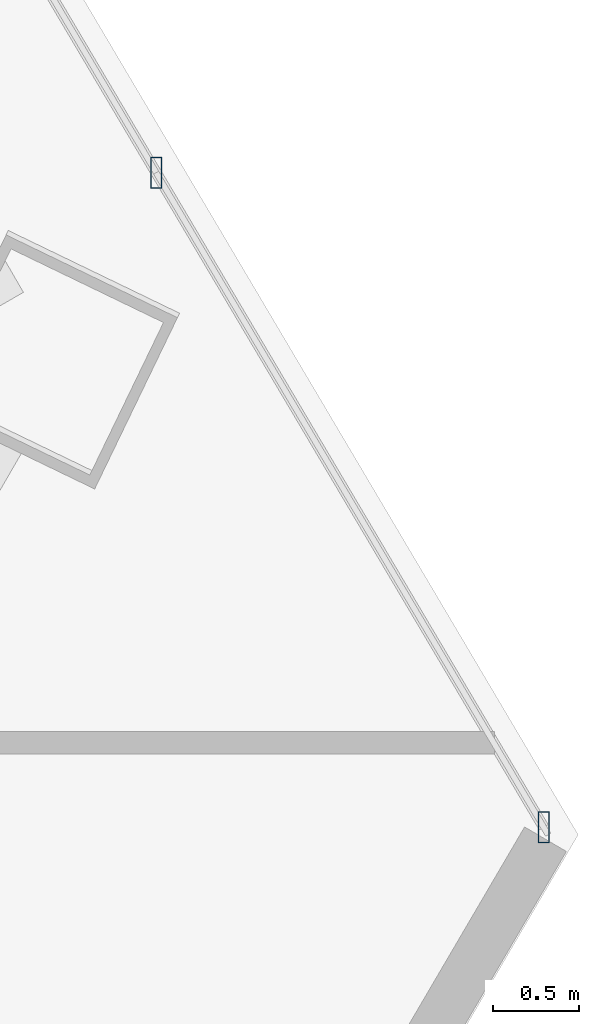
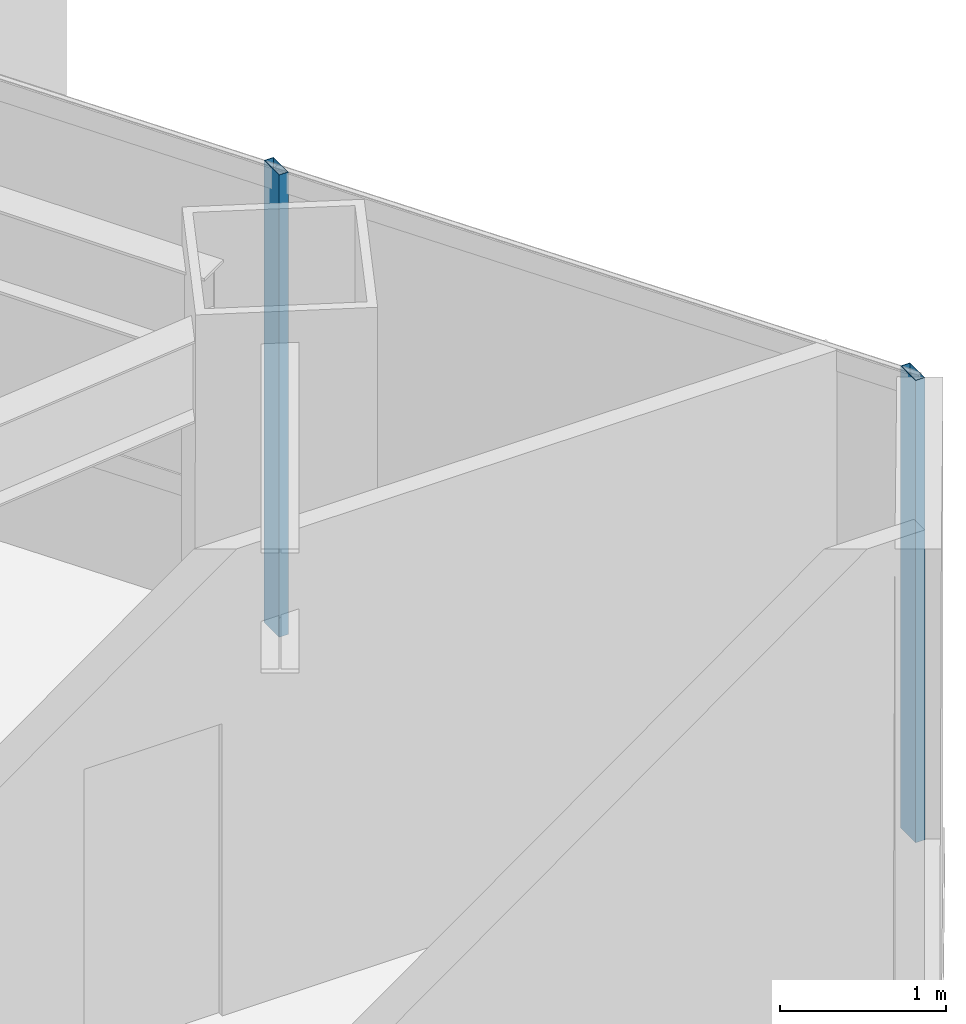
# One storey, part 19 of 37: 2 members, 1 element without a shape of its own.
"""IFC4 building model written with IfcOpenShell, lengths in metres."""

from ifc_helpers import new_model, si_unit, direction, frame, origin, origin_2d, place, context, subcontext, project, spatial, hollow_rectangle, extrude, source, transform, mapped, material, material_profile, profile_set, type_object, type_shapes, element, aggregate, save


model = new_model("IFC4")

# Units and contexts
model_context = context("Model", 3, precision=1e-05, world=origin(), true_north=direction((0.0, 1.0)))
body_context = subcontext(model_context, "Body", "Model", "MODEL_VIEW")
ifc_project = project(units=[si_unit("LENGTHUNIT", "METRE"), si_unit("AREAUNIT", "SQUARE_METRE"), si_unit("VOLUMEUNIT", "CUBIC_METRE"), si_unit("PLANEANGLEUNIT", "RADIAN"), si_unit("MASSUNIT", "GRAM", prefix="KILO")], contexts=[model_context])

# Site, building, storey
site_placement = place(None, origin())
site = spatial("IfcSite", under=ifc_project, at=site_placement, CompositionType="ELEMENT")
building_placement = place(site_placement, origin())
building = spatial("IfcBuilding", under=site, at=building_placement, Name="Caelisora Broadcast Tower", CompositionType="ELEMENT")
storey_placement = place(building_placement, frame((0.0, 0.0, 101.75)))
storey = spatial("IfcBuildingStorey", under=building, at=storey_placement, Name="L26", CompositionType="ELEMENT", Elevation=101.75)

# Curtain wall, members
ifc_material_1 = material(Name="Unitised Aluminium and Low-E Glass Curtain Wall", Category="glass")
curtain_wall_type = type_object("IfcCurtainWallType", Name="CW-Z2", PredefinedType="NOTDEFINED", material=ifc_material_1)
curtain_wall_placement = place(storey_placement, origin())
curtain_wall = element("IfcCurtainWall", 1, at=curtain_wall_placement, inside=storey, type_object=curtain_wall_type, Name="L26 curtain wall CW-Z2", PredefinedType="NOTDEFINED")
ifc_material_2 = material(Name="Aluminium 6063-T6 Anodised Terracotta Bronze", Category="aluminium")
ifc_material_profile = material_profile(ifc_material_2, hollow_rectangle(XDim=0.06494140625, YDim=0.179931640625, WallThickness=0.00341796875, at=origin_2d()), Name="Aluminium 6063-T6 Anodised Terracotta Bronze")
ifc_profile_set = profile_set([ifc_material_profile], Name="Aluminium 6063-T6 Anodised Terracotta Bronze")
member_type = type_object("IfcMemberType", Name="CWM-02", PredefinedType="MULLION", material=ifc_profile_set)
shared_shape = source(origin(), body_context, "Body", "SweptSolid", [
    extrude(hollow_rectangle(XDim=0.06494140625, YDim=0.179931640625, WallThickness=0.00341796875, at=origin_2d()), origin(), (0.0, 0.0, 1.0), 3.39990234375),
])
type_shapes(member_type, [shared_shape])
member_1_placement = place(storey_placement, frame((61.77099609375, 20.397705078125, 0.0), z_axis=(0.0, 0.0, 1.0), x_axis=(1.0, 0.0, 0.0)))
member_1 = element("IfcMember", 2, at=member_1_placement, type_object=member_type, Name="L26-CW-B03 mullion #2", PredefinedType="MULLION", context=body_context, shape_type="MappedRepresentation", body=[
    mapped(shared_shape, transform((0.0, 0.0, 0.0), scale=1.0)),
])
member_2_placement = place(storey_placement, frame((64.012451171875, 16.611083984375, 0.0), z_axis=(0.0, 0.0, 1.0), x_axis=(1.0, 0.0, 0.0)))
member_2 = element("IfcMember", 3, at=member_2_placement, type_object=member_type, Name="L26-CW-B03 mullion #3", PredefinedType="MULLION", context=body_context, shape_type="MappedRepresentation", body=[
    mapped(shared_shape, transform((0.0, 0.0, 0.0), scale=1.0)),
])
aggregate(curtain_wall, [member_1, member_2])

save(model, "model.ifc")
